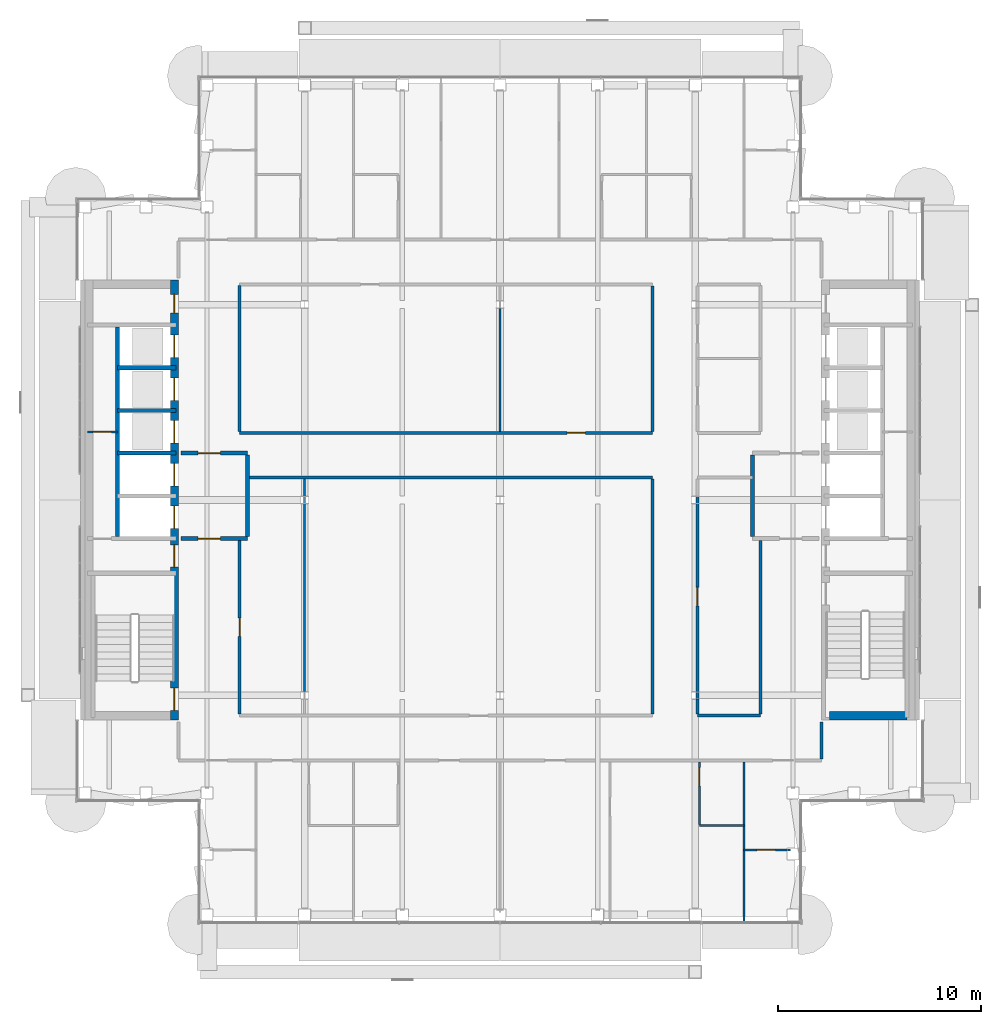
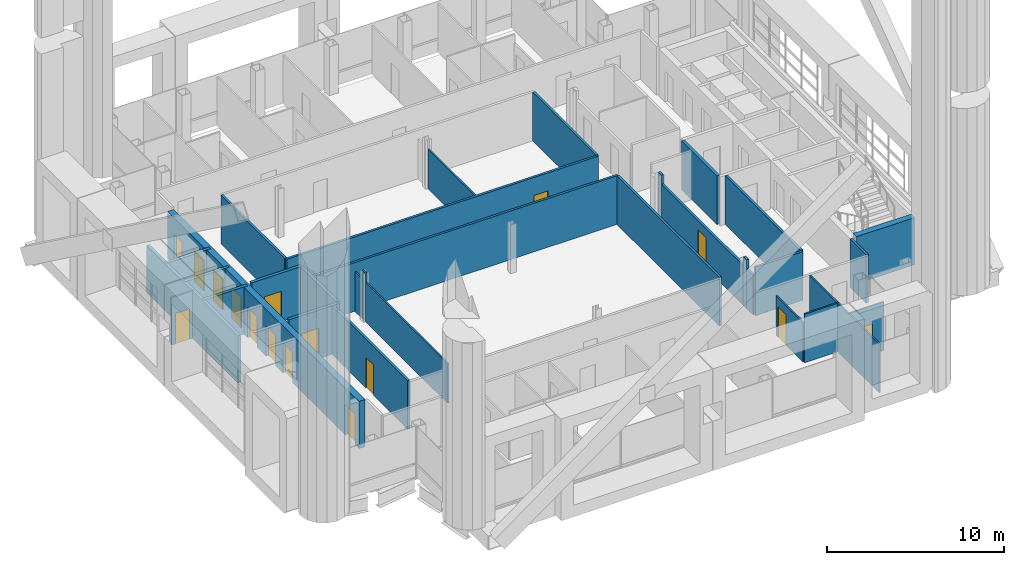
# One storey, part 14 of 29: 32 walls, 16 doors, 16 openings.
"""IFC4 building model written with IfcOpenShell, lengths in metres."""

from ifc_helpers import new_model, si_unit, direction, frame, frame_2d, origin, place, context, subcontext, project, spatial, rectangle, extrude, material, layer, layer_set, type_object, element, fill, save


model = new_model("IFC4")

# Units and contexts
model_context = context("Model", 3, precision=1e-05, world=origin(), true_north=direction((0.0, 1.0)))
body_context = subcontext(model_context, "Body", "Model", "MODEL_VIEW")
ifc_project = project(units=[si_unit("LENGTHUNIT", "METRE"), si_unit("AREAUNIT", "SQUARE_METRE"), si_unit("VOLUMEUNIT", "CUBIC_METRE"), si_unit("PLANEANGLEUNIT", "RADIAN"), si_unit("MASSUNIT", "GRAM", prefix="KILO")], contexts=[model_context])

# Site, building, storey
site_placement = place(None, origin())
site = spatial("IfcSite", under=ifc_project, at=site_placement, CompositionType="ELEMENT")
building_placement = place(site_placement, origin())
building = spatial("IfcBuilding", under=site, at=building_placement, Name="Cobrizo Arcos Hotel Tower", CompositionType="ELEMENT")
storey_placement = place(building_placement, frame((0.0, 0.0, 241.0)))
storey = spatial("IfcBuildingStorey", under=building, at=storey_placement, Name="L63", CompositionType="ELEMENT", Elevation=241.0)

# Walls
ifc_material_1 = material(Name="Gypsum board partition")
ifc_layer_1 = layer(ifc_material_1, 0.14990234375)
ifc_layer_set_1 = layer_set([ifc_layer_1], Name="Corridor wall EI 60 150")
wall_type_1 = type_object("IfcWallType", Name="Corridor wall EI 60 150", PredefinedType="PARTITIONING", material=ifc_layer_set_1)
wall_1_placement = place(storey_placement, frame((9.699951171875, -10.60009765625, 0.0), z_axis=(0.0, 0.0, 1.0), x_axis=(1.0, 0.0, 0.0)))
element("IfcWall", 1, at=wall_1_placement, inside=storey, type_object=wall_type_1, Name="Partition 007", PredefinedType="PARTITIONING", context=body_context, shape_type="SweptSolid", body=[
    extrude(rectangle(XDim=3.10009765625, YDim=0.14990234375, at=frame_2d((1.550048828125, 0.0))), origin(), (0.0, 0.0, 1.0), 3.35009765625),
])
wall_2_placement = place(storey_placement, frame((-12.39990234375, 1.10009765625, 0.0), z_axis=(0.0, 0.0, 1.0), x_axis=(1.0, 0.0, 0.0)))
element("IfcWall", 2, at=wall_2_placement, inside=storey, type_object=wall_type_1, Name="Partition 016", PredefinedType="PARTITIONING", context=body_context, shape_type="SweptSolid", body=[
    extrude(rectangle(XDim=19.89990234375, YDim=0.14990234375, at=frame_2d((9.949951171875, 0.0))), origin(), (0.0, 0.0, 1.0), 3.35009765625),
])

# Wall, opening, door
wall_3_placement = place(storey_placement, frame((-12.800048828125, 3.300048828125, 0.0), z_axis=(0.0, 0.0, 1.0), x_axis=(1.0, 0.0, 0.0)))
wall_3 = element("IfcWall", 3, at=wall_3_placement, inside=storey, type_object=wall_type_1, Name="Partition 022", PredefinedType="PARTITIONING", context=body_context, shape_type="SweptSolid", body=[
    extrude(rectangle(XDim=20.300048828125, YDim=0.14990234375, at=frame_2d((10.14990234375, 0.0))), origin(), (0.0, 0.0, 1.0), 3.35009765625),
])
opening_1_placement = place(wall_3_placement, frame((16.10009765625, 0.0, 0.0)))
opening_1 = element("IfcOpeningElement", 4, at=opening_1_placement, cuts=wall_3, Name="Opening RD-13", PredefinedType="OPENING", context=body_context, shape_type="SweptSolid", body=[
    extrude(rectangle(XDim=0.89990234375, YDim=2.10009765625, at=frame_2d((0.449951171875, 1.050048828125))), frame((0.0, 0.0869140625, 0.0), z_axis=(0.0, -1.0, 0.0), x_axis=(1.0, 0.0, 0.0)), (0.0, 0.0, 1.0), 0.173828125),
])
ifc_material_2 = material(Name="Timber door leaf", Category="wood")
door_type_1 = type_object("IfcDoorType", Name="Room door FD30 900x2100", OperationType="SINGLE_SWING_LEFT", PredefinedType="DOOR", material=ifc_material_2)
door_1_placement = place(opening_1_placement, origin())
door_1 = element("IfcDoor", 5, at=door_1_placement, inside=storey, type_object=door_type_1, Name="Door RD-13", OperationType="SINGLE_SWING_RIGHT", OverallHeight=2.10009765625, OverallWidth=0.89990234375, PredefinedType="DOOR", context=body_context, shape_type="SweptSolid", body=[
    extrude(rectangle(XDim=0.89990234375, YDim=2.10009765625, at=frame_2d((0.449951171875, 1.050048828125))), frame((0.0, 0.02490234375, 0.0), z_axis=(0.0, -1.0, 0.0), x_axis=(1.0, 0.0, 0.0)), (0.0, 0.0, 1.0), 0.050048828125),
])
fill(opening_1, door_1)

wall_4_placement = place(storey_placement, frame((-12.800048828125, -10.52490234375, 0.0), z_axis=(0.0, 0.0, 1.0), x_axis=(0.0, 1.0, 0.0)))
wall_4 = element("IfcWall", 6, at=wall_4_placement, inside=storey, type_object=wall_type_1, Name="Partition 045", PredefinedType="PARTITIONING", context=body_context, shape_type="SweptSolid", body=[
    extrude(rectangle(XDim=8.52490234375, YDim=0.14990234375, at=frame_2d((4.262451171875, 0.0))), origin(), (0.0, 0.0, 1.0), 3.35009765625),
])
opening_2_placement = place(wall_4_placement, frame((3.824951171875, 0.0, 0.0)))
opening_2 = element("IfcOpeningElement", 7, at=opening_2_placement, cuts=wall_4, Name="Opening RD-12", PredefinedType="OPENING", context=body_context, shape_type="SweptSolid", body=[
    extrude(rectangle(XDim=0.89990234375, YDim=2.10009765625, at=frame_2d((0.449951171875, 1.050048828125))), frame((0.0, 0.0869140625, 0.0), z_axis=(0.0, -1.0, 0.0), x_axis=(1.0, 0.0, 0.0)), (0.0, 0.0, 1.0), 0.173828125),
])
door_2_placement = place(opening_2_placement, origin())
door_2 = element("IfcDoor", 8, at=door_2_placement, inside=storey, type_object=door_type_1, Name="Door RD-12", OperationType="SINGLE_SWING_RIGHT", OverallHeight=2.10009765625, OverallWidth=0.89990234375, PredefinedType="DOOR", context=body_context, shape_type="SweptSolid", body=[
    extrude(rectangle(XDim=0.89990234375, YDim=2.10009765625, at=frame_2d((0.449951171875, 1.050048828125))), frame((0.0, 0.02490234375, 0.0), z_axis=(0.0, -1.0, 0.0), x_axis=(1.0, 0.0, 0.0)), (0.0, 0.0, 1.0), 0.050048828125),
])
fill(opening_2, door_2)

# Walls
wall_5_placement = place(storey_placement, frame((-12.800048828125, 3.375, 0.0), z_axis=(0.0, 0.0, 1.0), x_axis=(0.0, 1.0, 0.0)))
element("IfcWall", 9, at=wall_5_placement, inside=storey, type_object=wall_type_1, Name="Partition 046", PredefinedType="PARTITIONING", context=body_context, shape_type="SweptSolid", body=[
    extrude(rectangle(XDim=7.175048828125, YDim=0.14990234375, at=frame_2d((3.58740234375, 0.0))), origin(), (0.0, 0.0, 1.0), 3.35009765625),
])
wall_6_placement = place(storey_placement, frame((7.5, -10.52490234375, 0.0), z_axis=(0.0, 0.0, 1.0), x_axis=(0.0, 1.0, 0.0)))
element("IfcWall", 10, at=wall_6_placement, inside=storey, type_object=wall_type_1, Name="Partition 072", PredefinedType="PARTITIONING", context=body_context, shape_type="SweptSolid", body=[
    extrude(rectangle(XDim=11.5498046875, YDim=0.14990234375, at=frame_2d((5.77490234375, 0.0))), origin(), (0.0, 0.0, 1.0), 3.35009765625),
])
wall_7_placement = place(storey_placement, frame((7.5, 3.375, 0.0), z_axis=(0.0, 0.0, 1.0), x_axis=(0.0, 1.0, 0.0)))
element("IfcWall", 11, at=wall_7_placement, inside=storey, type_object=wall_type_1, Name="Partition 073", PredefinedType="PARTITIONING", context=body_context, shape_type="SweptSolid", body=[
    extrude(rectangle(XDim=7.14990234375, YDim=0.14990234375, at=frame_2d((3.574951171875, 0.0))), origin(), (0.0, 0.0, 1.0), 3.35009765625),
])
wall_8_placement = place(storey_placement, frame((9.699951171875, -10.52490234375, 0.0), z_axis=(0.0, 0.0, 1.0), x_axis=(0.0, 1.0, 0.0)))
element("IfcWall", 12, at=wall_8_placement, inside=storey, type_object=wall_type_1, Name="Partition 075", PredefinedType="PARTITIONING", context=body_context, shape_type="SweptSolid", body=[
    extrude(rectangle(XDim=0.740966796875, YDim=0.14990234375, at=frame_2d((0.37060546875, 0.0))), origin(), (0.0, 0.0, 1.0), 2.72802734375),
])
wall_9_placement = place(storey_placement, frame((9.699951171875, -9.783935546875, 0.0), z_axis=(0.0, 0.0, 1.0), x_axis=(0.0, 1.0, 0.0)))
element("IfcWall", 13, at=wall_9_placement, inside=storey, type_object=wall_type_1, Name="Partition 076", PredefinedType="PARTITIONING", context=body_context, shape_type="SweptSolid", body=[
    extrude(rectangle(XDim=0.367919921875, YDim=0.14990234375, at=frame_2d((0.18408203125, 0.0))), origin(), (0.0, 0.0, 1.0), 3.35009765625),
])

# Wall, opening, door
wall_10_placement = place(storey_placement, frame((9.699951171875, -9.416015625, 0.0), z_axis=(0.0, 0.0, 1.0), x_axis=(0.0, 1.0, 0.0)))
wall_10 = element("IfcWall", 14, at=wall_10_placement, inside=storey, type_object=wall_type_1, Name="Partition 077", PredefinedType="PARTITIONING", context=body_context, shape_type="SweptSolid", body=[
    extrude(rectangle(XDim=9.23193359375, YDim=0.14990234375, at=frame_2d((4.615966796875, 0.0))), origin(), (0.0, 0.0, 1.0), 2.72802734375),
])
opening_3_placement = place(wall_10_placement, frame((4.216064453125, 0.0, 0.0)))
opening_3 = element("IfcOpeningElement", 15, at=opening_3_placement, cuts=wall_10, Name="Opening RD-11", PredefinedType="OPENING", context=body_context, shape_type="SweptSolid", body=[
    extrude(rectangle(XDim=0.89990234375, YDim=2.10009765625, at=frame_2d((0.449951171875, 1.050048828125))), frame((0.0, 0.0869140625, 0.0), z_axis=(0.0, -1.0, 0.0), x_axis=(1.0, 0.0, 0.0)), (0.0, 0.0, 1.0), 0.173828125),
])
door_3_placement = place(opening_3_placement, origin())
door_3 = element("IfcDoor", 16, at=door_3_placement, inside=storey, type_object=door_type_1, Name="Door RD-11", OperationType="SINGLE_SWING_RIGHT", OverallHeight=2.10009765625, OverallWidth=0.89990234375, PredefinedType="DOOR", context=body_context, shape_type="SweptSolid", body=[
    extrude(rectangle(XDim=0.89990234375, YDim=2.10009765625, at=frame_2d((0.449951171875, 1.050048828125))), frame((0.0, 0.02490234375, 0.0), z_axis=(0.0, -1.0, 0.0), x_axis=(1.0, 0.0, 0.0)), (0.0, 0.0, 1.0), 0.050048828125),
])
fill(opening_3, door_3)

# Walls
wall_11_placement = place(storey_placement, frame((9.699951171875, -0.18408203125, 0.0), z_axis=(0.0, 0.0, 1.0), x_axis=(0.0, 1.0, 0.0)))
element("IfcWall", 17, at=wall_11_placement, inside=storey, type_object=wall_type_1, Name="Partition 078", PredefinedType="PARTITIONING", context=body_context, shape_type="SweptSolid", body=[
    extrude(rectangle(XDim=0.3681640625, YDim=0.14990234375, at=frame_2d((0.18408203125, 0.0))), origin(), (0.0, 0.0, 1.0), 3.35009765625),
])
wall_12_placement = place(storey_placement, frame((12.800048828125, -10.52490234375, 0.0), z_axis=(0.0, 0.0, 1.0), x_axis=(0.0, 1.0, 0.0)))
element("IfcWall", 18, at=wall_12_placement, inside=storey, type_object=wall_type_1, Name="Partition 087", PredefinedType="PARTITIONING", context=body_context, shape_type="SweptSolid", body=[
    extrude(rectangle(XDim=8.52490234375, YDim=0.14990234375, at=frame_2d((4.262451171875, 0.0))), origin(), (0.0, 0.0, 1.0), 3.35009765625),
])
wall_13_placement = place(storey_placement, frame((15.800048828125, -12.72509765625, 0.0), z_axis=(0.0, 0.0, 1.0), x_axis=(0.0, 1.0, 0.0)))
element("IfcWall", 19, at=wall_13_placement, inside=storey, type_object=wall_type_1, Name="Partition 089", PredefinedType="PARTITIONING", context=body_context, shape_type="SweptSolid", body=[
    extrude(rectangle(XDim=1.80517578125, YDim=0.14990234375, at=frame_2d((0.902587890625, 0.0))), origin(), (0.0, 0.0, 1.0), 3.35009765625),
])

# Wall, opening, door
ifc_layer_2 = layer(ifc_material_1, 0.10009765625)
ifc_layer_set_2 = layer_set([ifc_layer_2], Name="Partition EI 30 100")
wall_type_2 = type_object("IfcWallType", Name="Partition EI 30 100", PredefinedType="PARTITIONING", material=ifc_layer_set_2)
wall_14_placement = place(storey_placement, frame((12.0, -17.199951171875, 0.0), z_axis=(0.0, 0.0, 1.0), x_axis=(1.0, 0.0, 0.0)))
wall_14 = element("IfcWall", 20, at=wall_14_placement, inside=storey, type_object=wall_type_2, Name="Partition 002", PredefinedType="PARTITIONING", context=body_context, shape_type="SweptSolid", body=[
    extrude(rectangle(XDim=2.280029296875, YDim=0.10009765625, at=frame_2d((1.14013671875, 0.0))), origin(), (0.0, 0.0, 1.0), 3.35009765625),
])
opening_4_placement = place(wall_14_placement, frame((0.6298828125, 0.0, 0.0)))
opening_4 = element("IfcOpeningElement", 21, at=opening_4_placement, cuts=wall_14, Name="Opening ED-10", PredefinedType="OPENING", context=body_context, shape_type="SweptSolid", body=[
    extrude(rectangle(XDim=0.89990234375, YDim=2.10009765625, at=frame_2d((0.449951171875, 1.050048828125))), frame((0.0, 0.06201171875, 0.0), z_axis=(0.0, -1.0, 0.0), x_axis=(1.0, 0.0, 0.0)), (0.0, 0.0, 1.0), 0.1240234375),
])
door_type_2 = type_object("IfcDoorType", Name="En-suite door 900x2100", OperationType="SINGLE_SWING_LEFT", PredefinedType="DOOR", material=ifc_material_2)
door_4_placement = place(opening_4_placement, origin())
door_4 = element("IfcDoor", 22, at=door_4_placement, inside=storey, type_object=door_type_2, Name="Door ED-10", OperationType="SINGLE_SWING_RIGHT", OverallHeight=2.10009765625, OverallWidth=0.89990234375, PredefinedType="DOOR", context=body_context, shape_type="SweptSolid", body=[
    extrude(rectangle(XDim=0.89990234375, YDim=2.10009765625, at=frame_2d((0.449951171875, 1.050048828125))), frame((0.0, 0.02490234375, 0.0), z_axis=(0.0, -1.0, 0.0), x_axis=(1.0, 0.0, 0.0)), (0.0, 0.0, 1.0), 0.050048828125),
])
fill(opening_4, door_4)

# Wall
wall_15_placement = place(storey_placement, frame((9.800048828125, -16.0, 0.0), z_axis=(0.0, 0.0, 1.0), x_axis=(1.0, 0.0, 0.0)))
element("IfcWall", 23, at=wall_15_placement, inside=storey, type_object=wall_type_2, Name="Partition 004", PredefinedType="PARTITIONING", context=body_context, shape_type="SweptSolid", body=[
    extrude(rectangle(XDim=2.199951171875, YDim=0.10009765625, at=frame_2d((1.10009765625, 0.0))), origin(), (0.0, 0.0, 1.0), 3.35009765625),
])

# Wall, opening, door
wall_16_placement = place(storey_placement, frame((-20.280029296875, 3.35009765625, 0.0), z_axis=(0.0, 0.0, 1.0), x_axis=(1.0, 0.0, 0.0)))
wall_16 = element("IfcWall", 24, at=wall_16_placement, inside=storey, type_object=wall_type_2, Name="Partition 024", PredefinedType="PARTITIONING", context=body_context, shape_type="SweptSolid", body=[
    extrude(rectangle(XDim=1.47998046875, YDim=0.10009765625, at=frame_2d((0.739990234375, 0.0))), origin(), (0.0, 0.0, 1.0), 3.25),
])
opening_5_placement = place(wall_16_placement, frame((0.280029296875, 0.0, 0.0)))
opening_5 = element("IfcOpeningElement", 25, at=opening_5_placement, cuts=wall_16, Name="Opening RD-03", PredefinedType="OPENING", context=body_context, shape_type="SweptSolid", body=[
    extrude(rectangle(XDim=0.89990234375, YDim=2.10009765625, at=frame_2d((0.449951171875, 1.050048828125))), frame((0.0, 0.06201171875, 0.0), z_axis=(0.0, -1.0, 0.0), x_axis=(1.0, 0.0, 0.0)), (0.0, 0.0, 1.0), 0.1240234375),
])
door_5_placement = place(opening_5_placement, origin())
door_5 = element("IfcDoor", 26, at=door_5_placement, inside=storey, type_object=door_type_1, Name="Door RD-03", OperationType="SINGLE_SWING_RIGHT", OverallHeight=2.10009765625, OverallWidth=0.89990234375, PredefinedType="DOOR", context=body_context, shape_type="SweptSolid", body=[
    extrude(rectangle(XDim=0.89990234375, YDim=2.10009765625, at=frame_2d((0.449951171875, 1.050048828125))), frame((0.0, 0.02490234375, 0.0), z_axis=(0.0, -1.0, 0.0), x_axis=(1.0, 0.0, 0.0)), (0.0, 0.0, 1.0), 0.050048828125),
])
fill(opening_5, door_5)

# Walls
wall_17_placement = place(storey_placement, frame((-9.60009765625, -9.416015625, 0.0), z_axis=(0.0, 0.0, 1.0), x_axis=(0.0, 1.0, 0.0)))
element("IfcWall", 27, at=wall_17_placement, inside=storey, type_object=wall_type_2, Name="Partition 053", PredefinedType="PARTITIONING", context=body_context, shape_type="SweptSolid", body=[
    extrude(rectangle(XDim=9.23193359375, YDim=0.10009765625, at=frame_2d((4.615966796875, 0.0))), origin(), (0.0, 0.0, 1.0), 2.72802734375),
])
wall_18_placement = place(storey_placement, frame((-9.60009765625, -0.18408203125, 0.0), z_axis=(0.0, 0.0, 1.0), x_axis=(0.0, 1.0, 0.0)))
element("IfcWall", 28, at=wall_18_placement, inside=storey, type_object=wall_type_2, Name="Partition 054", PredefinedType="PARTITIONING", context=body_context, shape_type="SweptSolid", body=[
    extrude(rectangle(XDim=0.3681640625, YDim=0.10009765625, at=frame_2d((0.18408203125, 0.0))), origin(), (0.0, 0.0, 1.0), 3.35009765625),
])
wall_19_placement = place(storey_placement, frame((-9.60009765625, 0.18408203125, 0.0), z_axis=(0.0, 0.0, 1.0), x_axis=(0.0, 1.0, 0.0)))
element("IfcWall", 29, at=wall_19_placement, inside=storey, type_object=wall_type_2, Name="Partition 055", PredefinedType="PARTITIONING", context=body_context, shape_type="SweptSolid", body=[
    extrude(rectangle(XDim=0.8408203125, YDim=0.10009765625, at=frame_2d((0.42041015625, 0.0))), origin(), (0.0, 0.0, 1.0), 2.72802734375),
])
wall_20_placement = place(storey_placement, frame((0.0, 3.375, 0.0), z_axis=(0.0, 0.0, 1.0), x_axis=(0.0, 1.0, 0.0)))
element("IfcWall", 30, at=wall_20_placement, inside=storey, type_object=wall_type_2, Name="Partition 064", PredefinedType="PARTITIONING", context=body_context, shape_type="SweptSolid", body=[
    extrude(rectangle(XDim=6.041015625, YDim=0.10009765625, at=frame_2d((3.0205078125, 0.0))), origin(), (0.0, 0.0, 1.0), 2.72802734375),
])

# Wall, opening, door
wall_21_placement = place(storey_placement, frame((9.800048828125, -15.949951171875, 0.0), z_axis=(0.0, 0.0, 1.0), x_axis=(0.0, 1.0, 0.0)))
wall_21 = element("IfcWall", 31, at=wall_21_placement, inside=storey, type_object=wall_type_2, Name="Partition 083", PredefinedType="PARTITIONING", context=body_context, shape_type="SweptSolid", body=[
    extrude(rectangle(XDim=3.074951171875, YDim=0.10009765625, at=frame_2d((1.53759765625, 0.0))), origin(), (0.0, 0.0, 1.0), 2.72802734375),
])
opening_6_placement = place(wall_21_placement, frame((1.89990234375, 0.0, 0.0)))
opening_6 = element("IfcOpeningElement", 32, at=opening_6_placement, cuts=wall_21, Name="Opening ED-07", PredefinedType="OPENING", context=body_context, shape_type="SweptSolid", body=[
    extrude(rectangle(XDim=0.89990234375, YDim=2.10009765625, at=frame_2d((0.449951171875, 1.050048828125))), frame((0.0, 0.06201171875, 0.0), z_axis=(0.0, -1.0, 0.0), x_axis=(1.0, 0.0, 0.0)), (0.0, 0.0, 1.0), 0.1240234375),
])
door_6_placement = place(opening_6_placement, origin())
door_6 = element("IfcDoor", 33, at=door_6_placement, inside=storey, type_object=door_type_2, Name="Door ED-07", OperationType="SINGLE_SWING_LEFT", OverallHeight=2.10009765625, OverallWidth=0.89990234375, PredefinedType="DOOR", context=body_context, shape_type="SweptSolid", body=[
    extrude(rectangle(XDim=0.89990234375, YDim=2.10009765625, at=frame_2d((0.449951171875, 1.050048828125))), frame((0.0, 0.02490234375, 0.0), z_axis=(0.0, -1.0, 0.0), x_axis=(1.0, 0.0, 0.0)), (0.0, 0.0, 1.0), 0.050048828125),
])
fill(opening_6, door_6)

# Walls
wall_22_placement = place(storey_placement, frame((12.0, -20.72998046875, 0.0), z_axis=(0.0, 0.0, 1.0), x_axis=(0.0, 1.0, 0.0)))
element("IfcWall", 34, at=wall_22_placement, inside=storey, type_object=wall_type_2, Name="Partition 084", PredefinedType="PARTITIONING", context=body_context, shape_type="SweptSolid", body=[
    extrude(rectangle(XDim=7.85498046875, YDim=0.10009765625, at=frame_2d((3.927490234375, 0.0))), origin(), (0.0, 0.0, 1.0), 3.35009765625),
])
ifc_material_3 = material(Name="Concrete f'c 40 MPa", Category="concrete")
ifc_layer_3 = layer(ifc_material_3, 0.39990234375)
ifc_layer_set_3 = layer_set([ifc_layer_3], Name="RC core wall 400 f'c 40")
wall_type_3 = type_object("IfcWallType", Name="RC core wall 400 f'c 40", PredefinedType="SHEAR", material=ifc_layer_set_3)
wall_23_placement = place(storey_placement, frame((16.199951171875, -10.60009765625, 0.0), z_axis=(0.0, 0.0, 1.0), x_axis=(1.0, 0.0, 0.0)))
element("IfcWall", 35, at=wall_23_placement, inside=storey, type_object=wall_type_3, Name="Core wall CW4, east core, south end, L63", PredefinedType="SHEAR", context=body_context, shape_type="SweptSolid", body=[
    extrude(rectangle(XDim=3.800048828125, YDim=0.39990234375, at=frame_2d((1.89990234375, 0.0))), origin(), (0.0, 0.0, 1.0), 3.25),
])

# Wall, openings, doors
wall_24_placement = place(storey_placement, frame((-16.0, -10.800048828125, 0.0), z_axis=(0.0, 0.0, 1.0), x_axis=(0.0, 1.0, 0.0)))
wall_24 = element("IfcWall", 36, at=wall_24_placement, inside=storey, type_object=wall_type_3, Name="Core wall CW4, west core, inner face, L63", PredefinedType="SHEAR", context=body_context, shape_type="SweptSolid", body=[
    extrude(rectangle(XDim=21.60009765625, YDim=0.39990234375, at=frame_2d((10.800048828125, 0.0))), origin(), (0.0, 0.0, 1.0), 3.25),
])
opening_7_placement = place(wall_24_placement, frame((9.39990234375, 0.0, 0.0)))
opening_7 = element("IfcOpeningElement", 37, at=opening_7_placement, cuts=wall_24, Name="Opening LD-01", PredefinedType="OPENING", context=body_context, shape_type="SweptSolid", body=[
    extrude(rectangle(XDim=1.10009765625, YDim=2.10009765625, at=frame_2d((0.550048828125, 1.050048828125))), frame((0.0, 0.2119140625, 0.0), z_axis=(0.0, -1.0, 0.0), x_axis=(1.0, 0.0, 0.0)), (0.0, 0.0, 1.0), 0.423828125),
])
opening_8_placement = place(wall_24_placement, frame((11.5, 0.0, 0.0)))
opening_8 = element("IfcOpeningElement", 38, at=opening_8_placement, cuts=wall_24, Name="Opening LD-02", PredefinedType="OPENING", context=body_context, shape_type="SweptSolid", body=[
    extrude(rectangle(XDim=1.10009765625, YDim=2.10009765625, at=frame_2d((0.550048828125, 1.050048828125))), frame((0.0, 0.2119140625, 0.0), z_axis=(0.0, -1.0, 0.0), x_axis=(1.0, 0.0, 0.0)), (0.0, 0.0, 1.0), 0.423828125),
])
opening_9_placement = place(wall_24_placement, frame((13.60009765625, 0.0, 0.0)))
opening_9 = element("IfcOpeningElement", 39, at=opening_9_placement, cuts=wall_24, Name="Opening LD-03", PredefinedType="OPENING", context=body_context, shape_type="SweptSolid", body=[
    extrude(rectangle(XDim=1.10009765625, YDim=2.10009765625, at=frame_2d((0.550048828125, 1.050048828125))), frame((0.0, 0.2119140625, 0.0), z_axis=(0.0, -1.0, 0.0), x_axis=(1.0, 0.0, 0.0)), (0.0, 0.0, 1.0), 0.423828125),
])
opening_10_placement = place(wall_24_placement, frame((15.699951171875, 0.0, 0.0)))
opening_10 = element("IfcOpeningElement", 40, at=opening_10_placement, cuts=wall_24, Name="Opening LD-04", PredefinedType="OPENING", context=body_context, shape_type="SweptSolid", body=[
    extrude(rectangle(XDim=1.10009765625, YDim=2.10009765625, at=frame_2d((0.550048828125, 1.050048828125))), frame((0.0, 0.2119140625, 0.0), z_axis=(0.0, -1.0, 0.0), x_axis=(1.0, 0.0, 0.0)), (0.0, 0.0, 1.0), 0.423828125),
])
opening_11_placement = place(wall_24_placement, frame((17.800048828125, 0.0, 0.0)))
opening_11 = element("IfcOpeningElement", 41, at=opening_11_placement, cuts=wall_24, Name="Opening LD-05", PredefinedType="OPENING", context=body_context, shape_type="SweptSolid", body=[
    extrude(rectangle(XDim=1.10009765625, YDim=2.10009765625, at=frame_2d((0.550048828125, 1.050048828125))), frame((0.0, 0.2119140625, 0.0), z_axis=(0.0, -1.0, 0.0), x_axis=(1.0, 0.0, 0.0)), (0.0, 0.0, 1.0), 0.423828125),
])
opening_12_placement = place(wall_24_placement, frame((0.4580078125, 0.0, 0.0)))
opening_12 = element("IfcOpeningElement", 42, at=opening_12_placement, cuts=wall_24, Name="Opening SD-01", PredefinedType="OPENING", context=body_context, shape_type="SweptSolid", body=[
    extrude(rectangle(XDim=1.10009765625, YDim=2.10009765625, at=frame_2d((0.550048828125, 1.050048828125))), frame((0.0, 0.2119140625, 0.0), z_axis=(0.0, -1.0, 0.0), x_axis=(1.0, 0.0, 0.0)), (0.0, 0.0, 1.0), 0.423828125),
])
opening_13_placement = place(wall_24_placement, frame((7.5, 0.0, 0.0)))
opening_13 = element("IfcOpeningElement", 43, at=opening_13_placement, cuts=wall_24, Name="Opening FD-01", PredefinedType="OPENING", context=body_context, shape_type="SweptSolid", body=[
    extrude(rectangle(XDim=1.10009765625, YDim=2.10009765625, at=frame_2d((0.550048828125, 1.050048828125))), frame((0.0, 0.2119140625, 0.0), z_axis=(0.0, -1.0, 0.0), x_axis=(1.0, 0.0, 0.0)), (0.0, 0.0, 1.0), 0.423828125),
])
opening_14_placement = place(wall_24_placement, frame((20.0, 0.0, 0.0)))
opening_14 = element("IfcOpeningElement", 44, at=opening_14_placement, cuts=wall_24, Name="Opening RD-01", PredefinedType="OPENING", context=body_context, shape_type="SweptSolid", body=[
    extrude(rectangle(XDim=0.89990234375, YDim=2.10009765625, at=frame_2d((0.449951171875, 1.050048828125))), frame((0.0, 0.2119140625, 0.0), z_axis=(0.0, -1.0, 0.0), x_axis=(1.0, 0.0, 0.0)), (0.0, 0.0, 1.0), 0.423828125),
])
ifc_material_4 = material(Name="Steel door leaf", Category="steel")
door_type_3 = type_object("IfcDoorType", Name="Fire door FD60 1100x2100", OperationType="SINGLE_SWING_LEFT", PredefinedType="DOOR", material=ifc_material_4)
door_7_placement = place(opening_13_placement, origin())
door_7 = element("IfcDoor", 45, at=door_7_placement, inside=storey, type_object=door_type_3, Name="Door FD-01", OperationType="SINGLE_SWING_RIGHT", OverallHeight=2.10009765625, OverallWidth=1.10009765625, PredefinedType="DOOR", context=body_context, shape_type="SweptSolid", body=[
    extrude(rectangle(XDim=1.10009765625, YDim=2.10009765625, at=frame_2d((0.550048828125, 1.050048828125))), frame((0.0, 0.02490234375, 0.0), z_axis=(0.0, -1.0, 0.0), x_axis=(1.0, 0.0, 0.0)), (0.0, 0.0, 1.0), 0.050048828125),
])
fill(opening_13, door_7)
door_type_4 = type_object("IfcDoorType", Name="Lift landing door 1100x2100", OperationType="SLIDING_TO_LEFT", PredefinedType="DOOR", material=ifc_material_4)
door_8_placement = place(opening_7_placement, origin())
door_8 = element("IfcDoor", 46, at=door_8_placement, inside=storey, type_object=door_type_4, Name="Lift landing door LD-01", OperationType="SLIDING_TO_LEFT", OverallHeight=2.10009765625, OverallWidth=1.10009765625, PredefinedType="DOOR", context=body_context, shape_type="SweptSolid", body=[
    extrude(rectangle(XDim=1.10009765625, YDim=2.10009765625, at=frame_2d((0.550048828125, 1.050048828125))), frame((0.0, 0.02490234375, 0.0), z_axis=(0.0, -1.0, 0.0), x_axis=(1.0, 0.0, 0.0)), (0.0, 0.0, 1.0), 0.050048828125),
])
fill(opening_7, door_8)
door_9_placement = place(opening_8_placement, origin())
door_9 = element("IfcDoor", 47, at=door_9_placement, inside=storey, type_object=door_type_4, Name="Lift landing door LD-02", OperationType="SLIDING_TO_LEFT", OverallHeight=2.10009765625, OverallWidth=1.10009765625, PredefinedType="DOOR", context=body_context, shape_type="SweptSolid", body=[
    extrude(rectangle(XDim=1.10009765625, YDim=2.10009765625, at=frame_2d((0.550048828125, 1.050048828125))), frame((0.0, 0.02490234375, 0.0), z_axis=(0.0, -1.0, 0.0), x_axis=(1.0, 0.0, 0.0)), (0.0, 0.0, 1.0), 0.050048828125),
])
fill(opening_8, door_9)
door_10_placement = place(opening_9_placement, origin())
door_10 = element("IfcDoor", 48, at=door_10_placement, inside=storey, type_object=door_type_4, Name="Lift landing door LD-03", OperationType="SLIDING_TO_LEFT", OverallHeight=2.10009765625, OverallWidth=1.10009765625, PredefinedType="DOOR", context=body_context, shape_type="SweptSolid", body=[
    extrude(rectangle(XDim=1.10009765625, YDim=2.10009765625, at=frame_2d((0.550048828125, 1.050048828125))), frame((0.0, 0.02490234375, 0.0), z_axis=(0.0, -1.0, 0.0), x_axis=(1.0, 0.0, 0.0)), (0.0, 0.0, 1.0), 0.050048828125),
])
fill(opening_9, door_10)
door_11_placement = place(opening_10_placement, origin())
door_11 = element("IfcDoor", 49, at=door_11_placement, inside=storey, type_object=door_type_4, Name="Lift landing door LD-04", OperationType="SLIDING_TO_LEFT", OverallHeight=2.10009765625, OverallWidth=1.10009765625, PredefinedType="DOOR", context=body_context, shape_type="SweptSolid", body=[
    extrude(rectangle(XDim=1.10009765625, YDim=2.10009765625, at=frame_2d((0.550048828125, 1.050048828125))), frame((0.0, 0.02490234375, 0.0), z_axis=(0.0, -1.0, 0.0), x_axis=(1.0, 0.0, 0.0)), (0.0, 0.0, 1.0), 0.050048828125),
])
fill(opening_10, door_11)
door_12_placement = place(opening_11_placement, origin())
door_12 = element("IfcDoor", 50, at=door_12_placement, inside=storey, type_object=door_type_4, Name="Lift landing door LD-05", OperationType="SLIDING_TO_LEFT", OverallHeight=2.10009765625, OverallWidth=1.10009765625, PredefinedType="DOOR", context=body_context, shape_type="SweptSolid", body=[
    extrude(rectangle(XDim=1.10009765625, YDim=2.10009765625, at=frame_2d((0.550048828125, 1.050048828125))), frame((0.0, 0.02490234375, 0.0), z_axis=(0.0, -1.0, 0.0), x_axis=(1.0, 0.0, 0.0)), (0.0, 0.0, 1.0), 0.050048828125),
])
fill(opening_11, door_12)
door_13_placement = place(opening_14_placement, origin())
door_13 = element("IfcDoor", 51, at=door_13_placement, inside=storey, type_object=door_type_1, Name="Door RD-01", OperationType="SINGLE_SWING_LEFT", OverallHeight=2.10009765625, OverallWidth=0.89990234375, PredefinedType="DOOR", context=body_context, shape_type="SweptSolid", body=[
    extrude(rectangle(XDim=0.89990234375, YDim=2.10009765625, at=frame_2d((0.449951171875, 1.050048828125))), frame((0.0, 0.02490234375, 0.0), z_axis=(0.0, -1.0, 0.0), x_axis=(1.0, 0.0, 0.0)), (0.0, 0.0, 1.0), 0.050048828125),
])
fill(opening_14, door_13)
door_type_5 = type_object("IfcDoorType", Name="Stair door FD60S 1100x2100", OperationType="SINGLE_SWING_LEFT", PredefinedType="DOOR", material=ifc_material_4)
door_14_placement = place(opening_12_placement, origin())
door_14 = element("IfcDoor", 52, at=door_14_placement, inside=storey, type_object=door_type_5, Name="Door SD-01", OperationType="SINGLE_SWING_LEFT", OverallHeight=2.10009765625, OverallWidth=1.10009765625, PredefinedType="DOOR", context=body_context, shape_type="SweptSolid", body=[
    extrude(rectangle(XDim=1.10009765625, YDim=2.10009765625, at=frame_2d((0.550048828125, 1.050048828125))), frame((0.0, 0.02490234375, 0.0), z_axis=(0.0, -1.0, 0.0), x_axis=(1.0, 0.0, 0.0)), (0.0, 0.0, 1.0), 0.050048828125),
])
fill(opening_12, door_14)

# Wall, opening, door
ifc_layer_4 = layer(ifc_material_1, 0.199951171875)
ifc_layer_set_4 = layer_set([ifc_layer_4], Name="Shaft wall EI 120 200")
wall_type_4 = type_object("IfcWallType", Name="Shaft wall EI 120 200", PredefinedType="PARTITIONING", material=ifc_layer_set_4)
wall_25_placement = place(storey_placement, frame((-15.679931640625, -1.89990234375, 0.0), z_axis=(0.0, 0.0, 1.0), x_axis=(1.0, 0.0, 0.0)))
wall_25 = element("IfcWall", 53, at=wall_25_placement, inside=storey, type_object=wall_type_4, Name="Partition 011", PredefinedType="PARTITIONING", context=body_context, shape_type="SweptSolid", body=[
    extrude(rectangle(XDim=3.280029296875, YDim=0.199951171875, at=frame_2d((1.64013671875, 0.0))), origin(), (0.0, 0.0, 1.0), 3.35009765625),
])
opening_15_placement = place(wall_25_placement, frame((0.840087890625, 0.0, 0.0)))
opening_15 = element("IfcOpeningElement", 54, at=opening_15_placement, cuts=wall_25, Name="Opening FD-02", PredefinedType="OPENING", context=body_context, shape_type="SweptSolid", body=[
    extrude(rectangle(XDim=1.10009765625, YDim=2.10009765625, at=frame_2d((0.550048828125, 1.050048828125))), frame((0.0, 0.112060546875, 0.0), z_axis=(0.0, -1.0, 0.0), x_axis=(1.0, 0.0, 0.0)), (0.0, 0.0, 1.0), 0.223876953125),
])
door_15_placement = place(opening_15_placement, origin())
door_15 = element("IfcDoor", 55, at=door_15_placement, inside=storey, type_object=door_type_3, Name="Door FD-02", OperationType="SINGLE_SWING_RIGHT", OverallHeight=2.10009765625, OverallWidth=1.10009765625, PredefinedType="DOOR", context=body_context, shape_type="SweptSolid", body=[
    extrude(rectangle(XDim=1.10009765625, YDim=2.10009765625, at=frame_2d((0.550048828125, 1.050048828125))), frame((0.0, 0.02490234375, 0.0), z_axis=(0.0, -1.0, 0.0), x_axis=(1.0, 0.0, 0.0)), (0.0, 0.0, 1.0), 0.050048828125),
])
fill(opening_15, door_15)

# Wall
wall_26_placement = place(storey_placement, frame((-18.800048828125, 2.300048828125, 0.0), z_axis=(0.0, 0.0, 1.0), x_axis=(1.0, 0.0, 0.0)))
element("IfcWall", 56, at=wall_26_placement, inside=storey, type_object=wall_type_4, Name="Partition 018", PredefinedType="PARTITIONING", context=body_context, shape_type="SweptSolid", body=[
    extrude(rectangle(XDim=2.880126953125, YDim=0.199951171875, at=frame_2d((1.43994140625, 0.0))), origin(), (0.0, 0.0, 1.0), 3.25),
])

# Wall, opening, door
wall_27_placement = place(storey_placement, frame((-15.679931640625, 2.300048828125, 0.0), z_axis=(0.0, 0.0, 1.0), x_axis=(1.0, 0.0, 0.0)))
wall_27 = element("IfcWall", 57, at=wall_27_placement, inside=storey, type_object=wall_type_4, Name="Partition 019", PredefinedType="PARTITIONING", context=body_context, shape_type="SweptSolid", body=[
    extrude(rectangle(XDim=3.280029296875, YDim=0.199951171875, at=frame_2d((1.64013671875, 0.0))), origin(), (0.0, 0.0, 1.0), 3.35009765625),
])
opening_16_placement = place(wall_27_placement, frame((0.840087890625, 0.0, 0.0)))
opening_16 = element("IfcOpeningElement", 58, at=opening_16_placement, cuts=wall_27, Name="Opening FD-03", PredefinedType="OPENING", context=body_context, shape_type="SweptSolid", body=[
    extrude(rectangle(XDim=1.10009765625, YDim=2.10009765625, at=frame_2d((0.550048828125, 1.050048828125))), frame((0.0, 0.112060546875, 0.0), z_axis=(0.0, -1.0, 0.0), x_axis=(1.0, 0.0, 0.0)), (0.0, 0.0, 1.0), 0.223876953125),
])
door_16_placement = place(opening_16_placement, origin())
door_16 = element("IfcDoor", 59, at=door_16_placement, inside=storey, type_object=door_type_3, Name="Door FD-03", OperationType="SINGLE_SWING_LEFT", OverallHeight=2.10009765625, OverallWidth=1.10009765625, PredefinedType="DOOR", context=body_context, shape_type="SweptSolid", body=[
    extrude(rectangle(XDim=1.10009765625, YDim=2.10009765625, at=frame_2d((0.550048828125, 1.050048828125))), frame((0.0, 0.02490234375, 0.0), z_axis=(0.0, -1.0, 0.0), x_axis=(1.0, 0.0, 0.0)), (0.0, 0.0, 1.0), 0.050048828125),
])
fill(opening_16, door_16)

# Walls
for number, where, z_axis, x_axis, name in (
    (60, (-18.800048828125, 4.39990234375, 0.0), (0.0, 0.0, 1.0), (1.0, 0.0, 0.0), "Partition 026"),
    (61, (-18.800048828125, 6.5, 0.0), (0.0, 0.0, 1.0), (1.0, 0.0, 0.0), "Partition 028"),
):
    element("IfcWall", number, at=place(storey_placement, frame(where, z_axis=z_axis, x_axis=x_axis)), inside=storey, type_object=wall_type_4, Name=name, PredefinedType="PARTITIONING", context=body_context, shape_type="SweptSolid", body=[
        extrude(rectangle(XDim=2.880126953125, YDim=0.199951171875, at=frame_2d((1.43994140625, 0.0))), origin(), (0.0, 0.0, 1.0), 3.25),
    ])
wall_28_placement = place(storey_placement, frame((-18.800048828125, -1.800048828125, 0.0), z_axis=(0.0, 0.0, 1.0), x_axis=(0.0, 1.0, 0.0)))
element("IfcWall", 62, at=wall_28_placement, inside=storey, type_object=wall_type_4, Name="Partition 042", PredefinedType="PARTITIONING", context=body_context, shape_type="SweptSolid", body=[
    extrude(rectangle(XDim=10.300048828125, YDim=0.199951171875, at=frame_2d((5.14990234375, 0.0))), origin(), (0.0, 0.0, 1.0), 3.25),
])
for number, where, z_axis, x_axis, name in (
    (63, (-12.39990234375, -1.800048828125, 0.0), (0.0, 0.0, 1.0), (0.0, 1.0, 0.0), "Partition 047"),
    (64, (12.39990234375, -1.800048828125, 0.0), (0.0, 0.0, 1.0), (0.0, 1.0, 0.0), "Partition 086"),
):
    element("IfcWall", number, at=place(storey_placement, frame(where, z_axis=z_axis, x_axis=x_axis)), inside=storey, type_object=wall_type_4, Name=name, PredefinedType="PARTITIONING", context=body_context, shape_type="SweptSolid", body=[
        extrude(rectangle(XDim=4.0, YDim=0.199951171875, at=frame_2d((2.0, 0.0))), origin(), (0.0, 0.0, 1.0), 3.35009765625),
    ])

save(model, "model.ifc")
